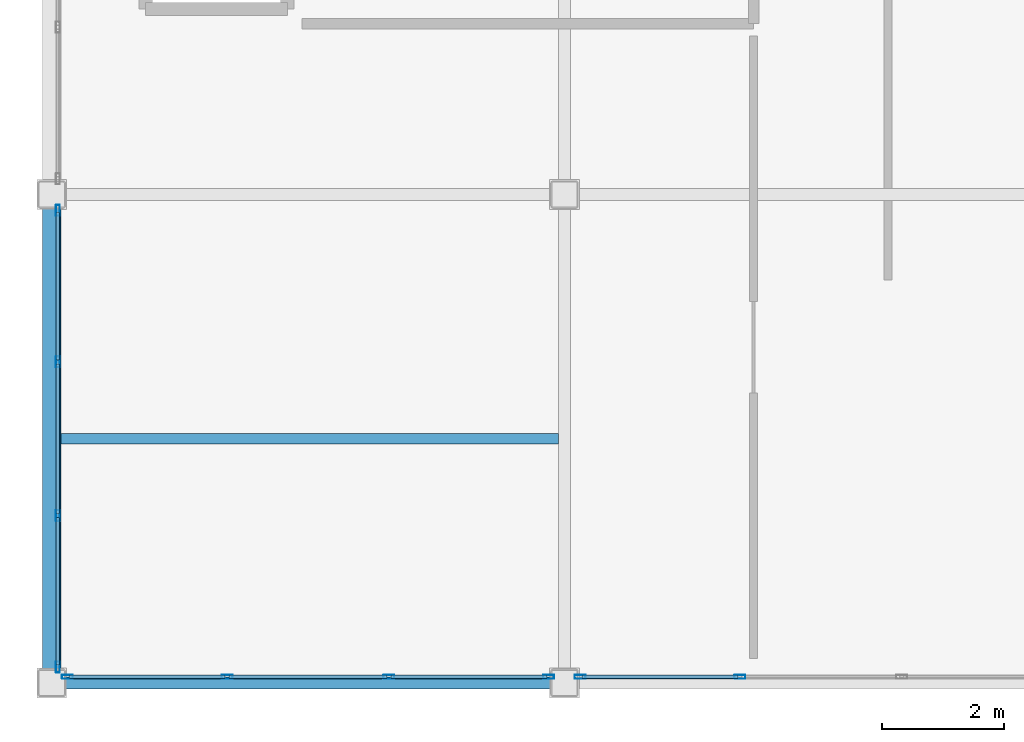
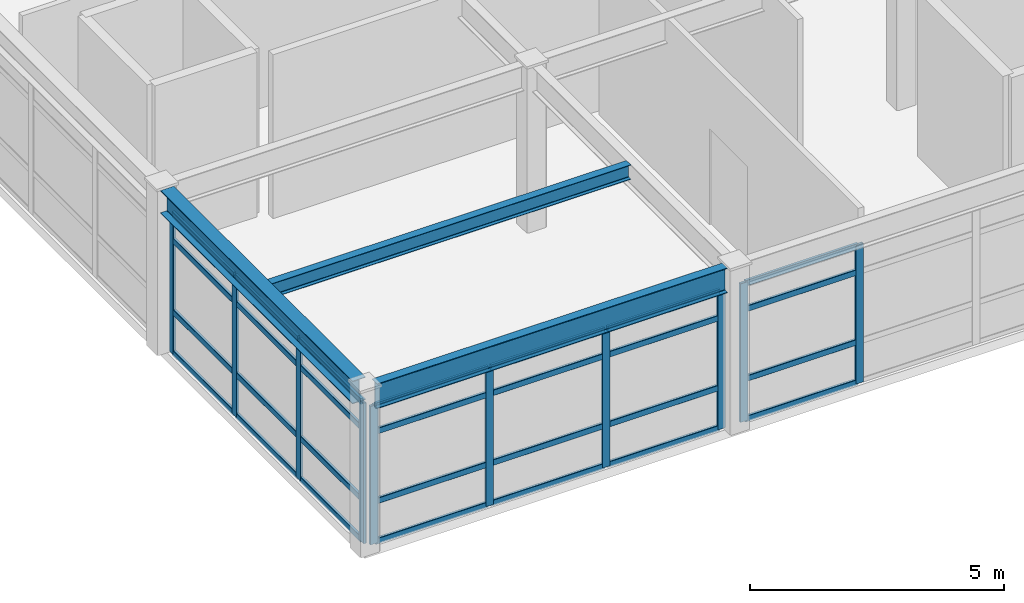
# One storey, part 3 of 34: 38 members, 3 beams, 3 elements without a shape of their own.
"""IFC4 building model written with IfcOpenShell, lengths in metres."""

from ifc_helpers import new_model, si_unit, direction, frame, origin, origin_2d, place, context, subcontext, project, spatial, hollow_rectangle, i_section, extrude, material, layer, layer_set, material_profile, profile_set, type_object, element, aggregate, save


model = new_model("IFC4")

# Units and contexts
model_context = context("Model", 3, precision=1e-05, world=origin(), true_north=direction((0.0, 1.0)))
body_context = subcontext(model_context, "Body", "Model", "MODEL_VIEW")
ifc_project = project(units=[si_unit("LENGTHUNIT", "METRE"), si_unit("AREAUNIT", "SQUARE_METRE"), si_unit("VOLUMEUNIT", "CUBIC_METRE"), si_unit("PLANEANGLEUNIT", "RADIAN"), si_unit("MASSUNIT", "GRAM", prefix="KILO")], contexts=[model_context])

# Site, building, storey
site_placement = place(None, origin())
site = spatial("IfcSite", under=ifc_project, at=site_placement, CompositionType="ELEMENT")
building_placement = place(site_placement, origin())
building = spatial("IfcBuilding", under=site, at=building_placement, Name="Kazehara Bluff Congress Hotel", CompositionType="ELEMENT")
storey_placement = place(building_placement, frame((0.0, 0.0, 46.199951171875)))
storey = spatial("IfcBuildingStorey", under=building, at=storey_placement, Name="L11", CompositionType="ELEMENT", Elevation=46.199951171875)

# Curtain wall, members
ifc_material_1 = material(Name="Anodised aluminium", Category="aluminium")
ifc_layer_1 = layer(ifc_material_1, 0.159912109375)
ifc_layer_set_1 = layer_set([ifc_layer_1], Name="Anodised aluminium")
curtain_wall_type_1 = type_object("IfcCurtainWallType", Name="TP-CW-206", PredefinedType="NOTDEFINED", material=ifc_layer_set_1)
curtain_wall_1_placement = place(storey_placement, origin())
curtain_wall_1 = element("IfcCurtainWall", 1, at=curtain_wall_1_placement, inside=storey, type_object=curtain_wall_type_1, Name="L11 curtain wall CW-206 CW-ENC-V5-L11-14790-1610", PredefinedType="NOTDEFINED")
ifc_material_2 = material(Name="Anodised aluminium", Category="aluminium")
ifc_material_profile_1 = material_profile(ifc_material_2, hollow_rectangle(XDim=0.06494140625, YDim=0.179931640625, WallThickness=0.00390625, InnerFilletRadius=0.00390625, OuterFilletRadius=0.008056640625, at=origin_2d()))
ifc_profile_set_1 = profile_set([ifc_material_profile_1], Name="Anodised aluminium")
member_type_1 = type_object("IfcMemberType", Name="TP-CWM-02", PredefinedType="MULLION", material=ifc_profile_set_1)
member_1_placement = place(storey_placement, frame((151.842529296875, 16.10009765625, 0.0), z_axis=(0.0, 0.0, 1.0), x_axis=(0.0, -1.0, 0.0)))
member_1 = element("IfcMember", 2, at=member_1_placement, type_object=member_type_1, Name="CW-206 mullion 1", PredefinedType="MULLION", context=body_context, shape_type="SweptSolid", body=[
    extrude(hollow_rectangle(XDim=0.06494140625, YDim=0.179931640625, WallThickness=0.00390625, InnerFilletRadius=0.00390625, OuterFilletRadius=0.008056640625, at=origin_2d()), origin(), (0.0, 0.0, 1.0), 3.324951171875),
])
member_2_placement = place(storey_placement, frame((149.22509765625, 16.10009765625, 0.0), z_axis=(0.0, 0.0, 1.0), x_axis=(0.0, -1.0, 0.0)))
member_2 = element("IfcMember", 3, at=member_2_placement, type_object=member_type_1, Name="CW-206 mullion 2", PredefinedType="MULLION", context=body_context, shape_type="SweptSolid", body=[
    extrude(hollow_rectangle(XDim=0.06494140625, YDim=0.179931640625, WallThickness=0.00390625, InnerFilletRadius=0.00390625, OuterFilletRadius=0.008056640625, at=origin_2d()), origin(), (0.0, 0.0, 1.0), 3.324951171875),
])
member_3_placement = place(storey_placement, frame((146.574951171875, 16.10009765625, 0.0), z_axis=(0.0, 0.0, 1.0), x_axis=(0.0, -1.0, 0.0)))
member_3 = element("IfcMember", 4, at=member_3_placement, type_object=member_type_1, Name="CW-206 mullion 3", PredefinedType="MULLION", context=body_context, shape_type="SweptSolid", body=[
    extrude(hollow_rectangle(XDim=0.06494140625, YDim=0.179931640625, WallThickness=0.00390625, InnerFilletRadius=0.00390625, OuterFilletRadius=0.008056640625, at=origin_2d()), origin(), (0.0, 0.0, 1.0), 3.324951171875),
])
member_4_placement = place(storey_placement, frame((143.95751953125, 16.10009765625, 0.0), z_axis=(0.0, 0.0, 1.0), x_axis=(0.0, -1.0, 0.0)))
member_4 = element("IfcMember", 5, at=member_4_placement, type_object=member_type_1, Name="CW-206 mullion 4", PredefinedType="MULLION", context=body_context, shape_type="SweptSolid", body=[
    extrude(hollow_rectangle(XDim=0.06494140625, YDim=0.179931640625, WallThickness=0.00390625, InnerFilletRadius=0.00390625, OuterFilletRadius=0.008056640625, at=origin_2d()), origin(), (0.0, 0.0, 1.0), 3.324951171875),
])

curtain_wall_2_placement = place(storey_placement, origin())
curtain_wall_2 = element("IfcCurtainWall", 6, at=curtain_wall_2_placement, inside=storey, type_object=curtain_wall_type_1, Name="L11 curtain wall CW-206 CW-ENC-V5-L11-15630-1610", PredefinedType="NOTDEFINED")
member_5_placement = place(storey_placement, frame((154.97509765625, 16.10009765625, 0.0), z_axis=(0.0, 0.0, 1.0), x_axis=(0.0, -1.0, 0.0)))
member_5 = element("IfcMember", 7, at=member_5_placement, type_object=member_type_1, Name="CW-206 mullion 3", PredefinedType="MULLION", context=body_context, shape_type="SweptSolid", body=[
    extrude(hollow_rectangle(XDim=0.06494140625, YDim=0.179931640625, WallThickness=0.00390625, InnerFilletRadius=0.00390625, OuterFilletRadius=0.008056640625, at=origin_2d()), origin(), (0.0, 0.0, 1.0), 3.324951171875),
])
member_6_placement = place(storey_placement, frame((152.357421875, 16.10009765625, 0.0), z_axis=(0.0, 0.0, 1.0), x_axis=(0.0, -1.0, 0.0)))
member_6 = element("IfcMember", 8, at=member_6_placement, type_object=member_type_1, Name="CW-206 mullion 4", PredefinedType="MULLION", context=body_context, shape_type="SweptSolid", body=[
    extrude(hollow_rectangle(XDim=0.06494140625, YDim=0.179931640625, WallThickness=0.00390625, InnerFilletRadius=0.00390625, OuterFilletRadius=0.008056640625, at=origin_2d()), origin(), (0.0, 0.0, 1.0), 3.324951171875),
])

ifc_material_3 = material(Name="Anodised aluminium", Category="aluminium")
ifc_layer_2 = layer(ifc_material_3, 0.159912109375)
ifc_layer_set_2 = layer_set([ifc_layer_2], Name="Anodised aluminium")
curtain_wall_type_2 = type_object("IfcCurtainWallType", Name="TP-CW-212", PredefinedType="NOTDEFINED", material=ifc_layer_set_2)
curtain_wall_3_placement = place(storey_placement, origin())
curtain_wall_3 = element("IfcCurtainWall", 9, at=curtain_wall_3_placement, inside=storey, type_object=curtain_wall_type_2, Name="L11 curtain wall CW-212 CW-ENC-V5-L11-14380-2000", PredefinedType="NOTDEFINED")
member_7_placement = place(storey_placement, frame((143.800048828125, 16.257568359375, 0.0), z_axis=(0.0, 0.0, 1.0), x_axis=(-1.0, 0.0, 0.0)))
member_7 = element("IfcMember", 10, at=member_7_placement, type_object=member_type_1, Name="CW-212 mullion 1", PredefinedType="MULLION", context=body_context, shape_type="SweptSolid", body=[
    extrude(hollow_rectangle(XDim=0.06494140625, YDim=0.179931640625, WallThickness=0.00390625, InnerFilletRadius=0.00390625, OuterFilletRadius=0.008056640625, at=origin_2d()), origin(), (0.0, 0.0, 1.0), 3.375),
])
member_8_placement = place(storey_placement, frame((143.800048828125, 18.74169921875, 0.0), z_axis=(0.0, 0.0, 1.0), x_axis=(-1.0, 0.0, 0.0)))
member_8 = element("IfcMember", 11, at=member_8_placement, type_object=member_type_1, Name="CW-212 mullion 2", PredefinedType="MULLION", context=body_context, shape_type="SweptSolid", body=[
    extrude(hollow_rectangle(XDim=0.06494140625, YDim=0.179931640625, WallThickness=0.00390625, InnerFilletRadius=0.00390625, OuterFilletRadius=0.008056640625, at=origin_2d()), origin(), (0.0, 0.0, 1.0), 3.375),
])
member_9_placement = place(storey_placement, frame((143.800048828125, 21.25830078125, 0.0), z_axis=(0.0, 0.0, 1.0), x_axis=(-1.0, 0.0, 0.0)))
member_9 = element("IfcMember", 12, at=member_9_placement, type_object=member_type_1, Name="CW-212 mullion 3", PredefinedType="MULLION", context=body_context, shape_type="SweptSolid", body=[
    extrude(hollow_rectangle(XDim=0.06494140625, YDim=0.179931640625, WallThickness=0.00390625, InnerFilletRadius=0.00390625, OuterFilletRadius=0.008056640625, at=origin_2d()), origin(), (0.0, 0.0, 1.0), 3.375),
])
member_10_placement = place(storey_placement, frame((143.800048828125, 23.742431640625, 0.0), z_axis=(0.0, 0.0, 1.0), x_axis=(-1.0, 0.0, 0.0)))
member_10 = element("IfcMember", 13, at=member_10_placement, type_object=member_type_1, Name="CW-212 mullion 4", PredefinedType="MULLION", context=body_context, shape_type="SweptSolid", body=[
    extrude(hollow_rectangle(XDim=0.06494140625, YDim=0.179931640625, WallThickness=0.00390625, InnerFilletRadius=0.00390625, OuterFilletRadius=0.008056640625, at=origin_2d()), origin(), (0.0, 0.0, 1.0), 3.375),
])

# Member
ifc_material_4 = material(Name="Anodised aluminium", Category="aluminium")
ifc_material_profile_2 = material_profile(ifc_material_4, hollow_rectangle(XDim=0.06494140625, YDim=0.139892578125, WallThickness=0.00390625, InnerFilletRadius=0.00390625, OuterFilletRadius=0.008056640625, at=origin_2d()))
ifc_profile_set_2 = profile_set([ifc_material_profile_2], Name="Anodised aluminium")
member_type_2 = type_object("IfcMemberType", Name="TP-CWT-02", PredefinedType="USERDEFINED", material=ifc_profile_set_2)
member_11_placement = place(storey_placement, frame((151.81005859375, 16.10009765625, 0.032470703125), z_axis=(-1.0, 0.0, 0.0), x_axis=(0.0, -1.0, 0.0)))
member_11 = element("IfcMember", 14, at=member_11_placement, type_object=member_type_2, Name="CW-206 transom 1.1", ObjectType="TRANSOM", PredefinedType="USERDEFINED", context=body_context, shape_type="SweptSolid", body=[
    extrude(hollow_rectangle(XDim=0.06494140625, YDim=0.139892578125, WallThickness=0.00390625, InnerFilletRadius=0.00390625, OuterFilletRadius=0.008056640625, at=origin_2d()), origin(), (0.0, 0.0, 1.0), 2.552490234375),
])

member_12_placement = place(storey_placement, frame((151.81005859375, 16.10009765625, 1.0), z_axis=(-1.0, 0.0, 0.0), x_axis=(0.0, -1.0, 0.0)))
member_12 = element("IfcMember", 15, at=member_12_placement, type_object=member_type_2, Name="CW-206 transom 1.2", ObjectType="TRANSOM", PredefinedType="USERDEFINED", context=body_context, shape_type="SweptSolid", body=[
    extrude(hollow_rectangle(XDim=0.06494140625, YDim=0.139892578125, WallThickness=0.00390625, InnerFilletRadius=0.00390625, OuterFilletRadius=0.008056640625, at=origin_2d()), origin(), (0.0, 0.0, 1.0), 2.552490234375),
])

member_13_placement = place(storey_placement, frame((151.81005859375, 16.10009765625, 2.675048828125), z_axis=(-1.0, 0.0, 0.0), x_axis=(0.0, -1.0, 0.0)))
member_13 = element("IfcMember", 16, at=member_13_placement, type_object=member_type_2, Name="CW-206 transom 1.3", ObjectType="TRANSOM", PredefinedType="USERDEFINED", context=body_context, shape_type="SweptSolid", body=[
    extrude(hollow_rectangle(XDim=0.06494140625, YDim=0.139892578125, WallThickness=0.00390625, InnerFilletRadius=0.00390625, OuterFilletRadius=0.008056640625, at=origin_2d()), origin(), (0.0, 0.0, 1.0), 2.552490234375),
])

member_14_placement = place(storey_placement, frame((151.81005859375, 16.10009765625, 3.29248046875), z_axis=(-1.0, 0.0, 0.0), x_axis=(0.0, -1.0, 0.0)))
member_14 = element("IfcMember", 17, at=member_14_placement, type_object=member_type_2, Name="CW-206 transom 1.4", ObjectType="TRANSOM", PredefinedType="USERDEFINED", context=body_context, shape_type="SweptSolid", body=[
    extrude(hollow_rectangle(XDim=0.06494140625, YDim=0.139892578125, WallThickness=0.00390625, InnerFilletRadius=0.00390625, OuterFilletRadius=0.008056640625, at=origin_2d()), origin(), (0.0, 0.0, 1.0), 2.552490234375),
])

member_15_placement = place(storey_placement, frame((149.1923828125, 16.10009765625, 0.032470703125), z_axis=(-1.0, 0.0, 0.0), x_axis=(0.0, -1.0, 0.0)))
member_15 = element("IfcMember", 18, at=member_15_placement, type_object=member_type_2, Name="CW-206 transom 2.1", ObjectType="TRANSOM", PredefinedType="USERDEFINED", context=body_context, shape_type="SweptSolid", body=[
    extrude(hollow_rectangle(XDim=0.06494140625, YDim=0.139892578125, WallThickness=0.00390625, InnerFilletRadius=0.00390625, OuterFilletRadius=0.008056640625, at=origin_2d()), origin(), (0.0, 0.0, 1.0), 2.5849609375),
])

member_16_placement = place(storey_placement, frame((149.1923828125, 16.10009765625, 1.0), z_axis=(-1.0, 0.0, 0.0), x_axis=(0.0, -1.0, 0.0)))
member_16 = element("IfcMember", 19, at=member_16_placement, type_object=member_type_2, Name="CW-206 transom 2.2", ObjectType="TRANSOM", PredefinedType="USERDEFINED", context=body_context, shape_type="SweptSolid", body=[
    extrude(hollow_rectangle(XDim=0.06494140625, YDim=0.139892578125, WallThickness=0.00390625, InnerFilletRadius=0.00390625, OuterFilletRadius=0.008056640625, at=origin_2d()), origin(), (0.0, 0.0, 1.0), 2.5849609375),
])

member_17_placement = place(storey_placement, frame((149.1923828125, 16.10009765625, 2.675048828125), z_axis=(-1.0, 0.0, 0.0), x_axis=(0.0, -1.0, 0.0)))
member_17 = element("IfcMember", 20, at=member_17_placement, type_object=member_type_2, Name="CW-206 transom 2.3", ObjectType="TRANSOM", PredefinedType="USERDEFINED", context=body_context, shape_type="SweptSolid", body=[
    extrude(hollow_rectangle(XDim=0.06494140625, YDim=0.139892578125, WallThickness=0.00390625, InnerFilletRadius=0.00390625, OuterFilletRadius=0.008056640625, at=origin_2d()), origin(), (0.0, 0.0, 1.0), 2.5849609375),
])

member_18_placement = place(storey_placement, frame((149.1923828125, 16.10009765625, 3.29248046875), z_axis=(-1.0, 0.0, 0.0), x_axis=(0.0, -1.0, 0.0)))
member_18 = element("IfcMember", 21, at=member_18_placement, type_object=member_type_2, Name="CW-206 transom 2.4", ObjectType="TRANSOM", PredefinedType="USERDEFINED", context=body_context, shape_type="SweptSolid", body=[
    extrude(hollow_rectangle(XDim=0.06494140625, YDim=0.139892578125, WallThickness=0.00390625, InnerFilletRadius=0.00390625, OuterFilletRadius=0.008056640625, at=origin_2d()), origin(), (0.0, 0.0, 1.0), 2.5849609375),
])

member_19_placement = place(storey_placement, frame((146.54248046875, 16.10009765625, 0.032470703125), z_axis=(-1.0, 0.0, 0.0), x_axis=(0.0, -1.0, 0.0)))
member_19 = element("IfcMember", 22, at=member_19_placement, type_object=member_type_2, Name="CW-206 transom 3.1", ObjectType="TRANSOM", PredefinedType="USERDEFINED", context=body_context, shape_type="SweptSolid", body=[
    extrude(hollow_rectangle(XDim=0.06494140625, YDim=0.139892578125, WallThickness=0.00390625, InnerFilletRadius=0.00390625, OuterFilletRadius=0.008056640625, at=origin_2d()), origin(), (0.0, 0.0, 1.0), 2.552490234375),
])

member_20_placement = place(storey_placement, frame((146.54248046875, 16.10009765625, 1.0), z_axis=(-1.0, 0.0, 0.0), x_axis=(0.0, -1.0, 0.0)))
member_20 = element("IfcMember", 23, at=member_20_placement, type_object=member_type_2, Name="CW-206 transom 3.2", ObjectType="TRANSOM", PredefinedType="USERDEFINED", context=body_context, shape_type="SweptSolid", body=[
    extrude(hollow_rectangle(XDim=0.06494140625, YDim=0.139892578125, WallThickness=0.00390625, InnerFilletRadius=0.00390625, OuterFilletRadius=0.008056640625, at=origin_2d()), origin(), (0.0, 0.0, 1.0), 2.552490234375),
])

member_21_placement = place(storey_placement, frame((146.54248046875, 16.10009765625, 2.675048828125), z_axis=(-1.0, 0.0, 0.0), x_axis=(0.0, -1.0, 0.0)))
member_21 = element("IfcMember", 24, at=member_21_placement, type_object=member_type_2, Name="CW-206 transom 3.3", ObjectType="TRANSOM", PredefinedType="USERDEFINED", context=body_context, shape_type="SweptSolid", body=[
    extrude(hollow_rectangle(XDim=0.06494140625, YDim=0.139892578125, WallThickness=0.00390625, InnerFilletRadius=0.00390625, OuterFilletRadius=0.008056640625, at=origin_2d()), origin(), (0.0, 0.0, 1.0), 2.552490234375),
])

member_22_placement = place(storey_placement, frame((146.54248046875, 16.10009765625, 3.29248046875), z_axis=(-1.0, 0.0, 0.0), x_axis=(0.0, -1.0, 0.0)))
member_22 = element("IfcMember", 25, at=member_22_placement, type_object=member_type_2, Name="CW-206 transom 3.4", ObjectType="TRANSOM", PredefinedType="USERDEFINED", context=body_context, shape_type="SweptSolid", body=[
    extrude(hollow_rectangle(XDim=0.06494140625, YDim=0.139892578125, WallThickness=0.00390625, InnerFilletRadius=0.00390625, OuterFilletRadius=0.008056640625, at=origin_2d()), origin(), (0.0, 0.0, 1.0), 2.552490234375),
])

aggregate(curtain_wall_1, [member_1, member_2, member_3, member_4, member_11, member_12, member_13, member_14, member_15, member_16, member_17, member_18, member_19, member_20, member_21, member_22])

member_23_placement = place(storey_placement, frame((154.9423828125, 16.10009765625, 0.032470703125), z_axis=(-1.0, 0.0, 0.0), x_axis=(0.0, -1.0, 0.0)))
member_23 = element("IfcMember", 26, at=member_23_placement, type_object=member_type_2, Name="CW-206 transom 3.1", ObjectType="TRANSOM", PredefinedType="USERDEFINED", context=body_context, shape_type="SweptSolid", body=[
    extrude(hollow_rectangle(XDim=0.06494140625, YDim=0.139892578125, WallThickness=0.00390625, InnerFilletRadius=0.00390625, OuterFilletRadius=0.008056640625, at=origin_2d()), origin(), (0.0, 0.0, 1.0), 2.552490234375),
])

member_24_placement = place(storey_placement, frame((154.9423828125, 16.10009765625, 1.0), z_axis=(-1.0, 0.0, 0.0), x_axis=(0.0, -1.0, 0.0)))
member_24 = element("IfcMember", 27, at=member_24_placement, type_object=member_type_2, Name="CW-206 transom 3.2", ObjectType="TRANSOM", PredefinedType="USERDEFINED", context=body_context, shape_type="SweptSolid", body=[
    extrude(hollow_rectangle(XDim=0.06494140625, YDim=0.139892578125, WallThickness=0.00390625, InnerFilletRadius=0.00390625, OuterFilletRadius=0.008056640625, at=origin_2d()), origin(), (0.0, 0.0, 1.0), 2.552490234375),
])

member_25_placement = place(storey_placement, frame((154.9423828125, 16.10009765625, 2.675048828125), z_axis=(-1.0, 0.0, 0.0), x_axis=(0.0, -1.0, 0.0)))
member_25 = element("IfcMember", 28, at=member_25_placement, type_object=member_type_2, Name="CW-206 transom 3.3", ObjectType="TRANSOM", PredefinedType="USERDEFINED", context=body_context, shape_type="SweptSolid", body=[
    extrude(hollow_rectangle(XDim=0.06494140625, YDim=0.139892578125, WallThickness=0.00390625, InnerFilletRadius=0.00390625, OuterFilletRadius=0.008056640625, at=origin_2d()), origin(), (0.0, 0.0, 1.0), 2.552490234375),
])

member_26_placement = place(storey_placement, frame((154.9423828125, 16.10009765625, 3.29248046875), z_axis=(-1.0, 0.0, 0.0), x_axis=(0.0, -1.0, 0.0)))
member_26 = element("IfcMember", 29, at=member_26_placement, type_object=member_type_2, Name="CW-206 transom 3.4", ObjectType="TRANSOM", PredefinedType="USERDEFINED", context=body_context, shape_type="SweptSolid", body=[
    extrude(hollow_rectangle(XDim=0.06494140625, YDim=0.139892578125, WallThickness=0.00390625, InnerFilletRadius=0.00390625, OuterFilletRadius=0.008056640625, at=origin_2d()), origin(), (0.0, 0.0, 1.0), 2.552490234375),
])

aggregate(curtain_wall_2, [member_5, member_6, member_23, member_24, member_25, member_26])

member_27_placement = place(storey_placement, frame((143.800048828125, 16.2900390625, 0.032470703125), z_axis=(0.0, 1.0, 0.0), x_axis=(-1.0, 0.0, 0.0)))
member_27 = element("IfcMember", 30, at=member_27_placement, type_object=member_type_2, Name="CW-212 transom 1.1", ObjectType="TRANSOM", PredefinedType="USERDEFINED", context=body_context, shape_type="SweptSolid", body=[
    extrude(hollow_rectangle(XDim=0.06494140625, YDim=0.139892578125, WallThickness=0.00390625, InnerFilletRadius=0.00390625, OuterFilletRadius=0.008056640625, at=origin_2d()), origin(), (0.0, 0.0, 1.0), 2.419189453125),
])

member_28_placement = place(storey_placement, frame((143.800048828125, 16.2900390625, 1.01513671875), z_axis=(0.0, 1.0, 0.0), x_axis=(-1.0, 0.0, 0.0)))
member_28 = element("IfcMember", 31, at=member_28_placement, type_object=member_type_2, Name="CW-212 transom 1.2", ObjectType="TRANSOM", PredefinedType="USERDEFINED", context=body_context, shape_type="SweptSolid", body=[
    extrude(hollow_rectangle(XDim=0.06494140625, YDim=0.139892578125, WallThickness=0.00390625, InnerFilletRadius=0.00390625, OuterFilletRadius=0.008056640625, at=origin_2d()), origin(), (0.0, 0.0, 1.0), 2.419189453125),
])

member_29_placement = place(storey_placement, frame((143.800048828125, 16.2900390625, 2.72509765625), z_axis=(0.0, 1.0, 0.0), x_axis=(-1.0, 0.0, 0.0)))
member_29 = element("IfcMember", 32, at=member_29_placement, type_object=member_type_2, Name="CW-212 transom 1.3", ObjectType="TRANSOM", PredefinedType="USERDEFINED", context=body_context, shape_type="SweptSolid", body=[
    extrude(hollow_rectangle(XDim=0.06494140625, YDim=0.139892578125, WallThickness=0.00390625, InnerFilletRadius=0.00390625, OuterFilletRadius=0.008056640625, at=origin_2d()), origin(), (0.0, 0.0, 1.0), 2.419189453125),
])

member_30_placement = place(storey_placement, frame((143.800048828125, 16.2900390625, 3.342529296875), z_axis=(0.0, 1.0, 0.0), x_axis=(-1.0, 0.0, 0.0)))
member_30 = element("IfcMember", 33, at=member_30_placement, type_object=member_type_2, Name="CW-212 transom 1.4", ObjectType="TRANSOM", PredefinedType="USERDEFINED", context=body_context, shape_type="SweptSolid", body=[
    extrude(hollow_rectangle(XDim=0.06494140625, YDim=0.139892578125, WallThickness=0.00390625, InnerFilletRadius=0.00390625, OuterFilletRadius=0.008056640625, at=origin_2d()), origin(), (0.0, 0.0, 1.0), 2.419189453125),
])

member_31_placement = place(storey_placement, frame((143.800048828125, 18.774169921875, 0.032470703125), z_axis=(0.0, 1.0, 0.0), x_axis=(-1.0, 0.0, 0.0)))
member_31 = element("IfcMember", 34, at=member_31_placement, type_object=member_type_2, Name="CW-212 transom 2.1", ObjectType="TRANSOM", PredefinedType="USERDEFINED", context=body_context, shape_type="SweptSolid", body=[
    extrude(hollow_rectangle(XDim=0.06494140625, YDim=0.139892578125, WallThickness=0.00390625, InnerFilletRadius=0.00390625, OuterFilletRadius=0.008056640625, at=origin_2d()), origin(), (0.0, 0.0, 1.0), 2.45166015625),
])

member_32_placement = place(storey_placement, frame((143.800048828125, 18.774169921875, 1.01513671875), z_axis=(0.0, 1.0, 0.0), x_axis=(-1.0, 0.0, 0.0)))
member_32 = element("IfcMember", 35, at=member_32_placement, type_object=member_type_2, Name="CW-212 transom 2.2", ObjectType="TRANSOM", PredefinedType="USERDEFINED", context=body_context, shape_type="SweptSolid", body=[
    extrude(hollow_rectangle(XDim=0.06494140625, YDim=0.139892578125, WallThickness=0.00390625, InnerFilletRadius=0.00390625, OuterFilletRadius=0.008056640625, at=origin_2d()), origin(), (0.0, 0.0, 1.0), 2.45166015625),
])

member_33_placement = place(storey_placement, frame((143.800048828125, 18.774169921875, 2.72509765625), z_axis=(0.0, 1.0, 0.0), x_axis=(-1.0, 0.0, 0.0)))
member_33 = element("IfcMember", 36, at=member_33_placement, type_object=member_type_2, Name="CW-212 transom 2.3", ObjectType="TRANSOM", PredefinedType="USERDEFINED", context=body_context, shape_type="SweptSolid", body=[
    extrude(hollow_rectangle(XDim=0.06494140625, YDim=0.139892578125, WallThickness=0.00390625, InnerFilletRadius=0.00390625, OuterFilletRadius=0.008056640625, at=origin_2d()), origin(), (0.0, 0.0, 1.0), 2.45166015625),
])

member_34_placement = place(storey_placement, frame((143.800048828125, 18.774169921875, 3.342529296875), z_axis=(0.0, 1.0, 0.0), x_axis=(-1.0, 0.0, 0.0)))
member_34 = element("IfcMember", 37, at=member_34_placement, type_object=member_type_2, Name="CW-212 transom 2.4", ObjectType="TRANSOM", PredefinedType="USERDEFINED", context=body_context, shape_type="SweptSolid", body=[
    extrude(hollow_rectangle(XDim=0.06494140625, YDim=0.139892578125, WallThickness=0.00390625, InnerFilletRadius=0.00390625, OuterFilletRadius=0.008056640625, at=origin_2d()), origin(), (0.0, 0.0, 1.0), 2.45166015625),
])

member_35_placement = place(storey_placement, frame((143.800048828125, 21.290771484375, 0.032470703125), z_axis=(0.0, 1.0, 0.0), x_axis=(-1.0, 0.0, 0.0)))
member_35 = element("IfcMember", 38, at=member_35_placement, type_object=member_type_2, Name="CW-212 transom 3.1", ObjectType="TRANSOM", PredefinedType="USERDEFINED", context=body_context, shape_type="SweptSolid", body=[
    extrude(hollow_rectangle(XDim=0.06494140625, YDim=0.139892578125, WallThickness=0.00390625, InnerFilletRadius=0.00390625, OuterFilletRadius=0.008056640625, at=origin_2d()), origin(), (0.0, 0.0, 1.0), 2.419189453125),
])

member_36_placement = place(storey_placement, frame((143.800048828125, 21.290771484375, 1.01513671875), z_axis=(0.0, 1.0, 0.0), x_axis=(-1.0, 0.0, 0.0)))
member_36 = element("IfcMember", 39, at=member_36_placement, type_object=member_type_2, Name="CW-212 transom 3.2", ObjectType="TRANSOM", PredefinedType="USERDEFINED", context=body_context, shape_type="SweptSolid", body=[
    extrude(hollow_rectangle(XDim=0.06494140625, YDim=0.139892578125, WallThickness=0.00390625, InnerFilletRadius=0.00390625, OuterFilletRadius=0.008056640625, at=origin_2d()), origin(), (0.0, 0.0, 1.0), 2.419189453125),
])

member_37_placement = place(storey_placement, frame((143.800048828125, 21.290771484375, 2.72509765625), z_axis=(0.0, 1.0, 0.0), x_axis=(-1.0, 0.0, 0.0)))
member_37 = element("IfcMember", 40, at=member_37_placement, type_object=member_type_2, Name="CW-212 transom 3.3", ObjectType="TRANSOM", PredefinedType="USERDEFINED", context=body_context, shape_type="SweptSolid", body=[
    extrude(hollow_rectangle(XDim=0.06494140625, YDim=0.139892578125, WallThickness=0.00390625, InnerFilletRadius=0.00390625, OuterFilletRadius=0.008056640625, at=origin_2d()), origin(), (0.0, 0.0, 1.0), 2.419189453125),
])

member_38_placement = place(storey_placement, frame((143.800048828125, 21.290771484375, 3.342529296875), z_axis=(0.0, 1.0, 0.0), x_axis=(-1.0, 0.0, 0.0)))
member_38 = element("IfcMember", 41, at=member_38_placement, type_object=member_type_2, Name="CW-212 transom 3.4", ObjectType="TRANSOM", PredefinedType="USERDEFINED", context=body_context, shape_type="SweptSolid", body=[
    extrude(hollow_rectangle(XDim=0.06494140625, YDim=0.139892578125, WallThickness=0.00390625, InnerFilletRadius=0.00390625, OuterFilletRadius=0.008056640625, at=origin_2d()), origin(), (0.0, 0.0, 1.0), 2.419189453125),
])

aggregate(curtain_wall_3, [member_7, member_8, member_9, member_10, member_27, member_28, member_29, member_30, member_31, member_32, member_33, member_34, member_35, member_36, member_37, member_38])

# Beams
ifc_material_5 = material(Name="Steel SN490B", Category="steel")
ifc_material_profile_3 = material_profile(ifc_material_5, i_section(OverallWidth=0.199951171875, OverallDepth=0.60009765625, WebThickness=0.010986328125, FlangeThickness=0.01708984375, FilletRadius=0.012939453125, at=origin_2d()))
ifc_profile_set_3 = profile_set([ifc_material_profile_3], Name="Steel SN490B")
beam_type_1 = type_object("IfcBeamType", Name="TP-G-02", PredefinedType="BEAM", material=ifc_profile_set_3)
beam_1_placement = place(storey_placement, frame((143.925048828125, 16.0, 3.650146484375), z_axis=(1.0, 0.0, 0.0), x_axis=(0.0, 1.0, 0.0)))
element("IfcBeam", 42, at=beam_1_placement, inside=storey, type_object=beam_type_1, Name="L11 girder G-02 25", PredefinedType="BEAM", context=body_context, shape_type="SweptSolid", body=[
    extrude(i_section(OverallWidth=0.199951171875, OverallDepth=0.60009765625, WebThickness=0.010986328125, FlangeThickness=0.01708984375, FilletRadius=0.012939453125, at=origin_2d()), origin(), (0.0, 0.0, 1.0), 7.949951171875),
])
ifc_material_6 = material(Name="Steel SN400B", Category="steel")
ifc_material_profile_4 = material_profile(ifc_material_6, i_section(OverallWidth=0.175048828125, OverallDepth=0.35009765625, WebThickness=0.007080078125, FlangeThickness=0.010986328125, FilletRadius=0.012939453125, at=origin_2d()))
ifc_profile_set_4 = profile_set([ifc_material_profile_4], Name="Steel SN400B")
beam_type_2 = type_object("IfcBeamType", Name="TP-J-02", PredefinedType="JOIST", material=ifc_profile_set_4)
beam_2_placement = place(storey_placement, frame((143.85009765625, 20.0, 3.775146484375), z_axis=(1.0, 0.0, 0.0), x_axis=(0.0, 1.0, 0.0)))
element("IfcBeam", 43, at=beam_2_placement, inside=storey, type_object=beam_type_2, Name="L11 secondary joist J-02 1", PredefinedType="JOIST", context=body_context, shape_type="SweptSolid", body=[
    extrude(i_section(OverallWidth=0.175048828125, OverallDepth=0.35009765625, WebThickness=0.007080078125, FlangeThickness=0.010986328125, FilletRadius=0.012939453125, at=origin_2d()), origin(), (0.0, 0.0, 1.0), 8.14990234375),
])
ifc_material_7 = material(Name="Steel SN490B", Category="steel")
ifc_material_profile_5 = material_profile(ifc_material_7, i_section(OverallWidth=0.300048828125, OverallDepth=0.550048828125, WebThickness=0.010986328125, FlangeThickness=0.01806640625, FilletRadius=0.012939453125, at=origin_2d()))
ifc_profile_set_5 = profile_set([ifc_material_profile_5], Name="Steel SN490B")
beam_type_3 = type_object("IfcBeamType", Name="TP-SP-01", PredefinedType="SPANDREL", material=ifc_profile_set_5)
beam_3_placement = place(storey_placement, frame((143.699951171875, 16.22509765625, 3.675048828125), z_axis=(0.0, 1.0, 0.0), x_axis=(-1.0, 0.0, 0.0)))
element("IfcBeam", 44, at=beam_3_placement, inside=storey, type_object=beam_type_3, Name="L11 girder SP-01 1", PredefinedType="SPANDREL", context=body_context, shape_type="SweptSolid", body=[
    extrude(i_section(OverallWidth=0.300048828125, OverallDepth=0.550048828125, WebThickness=0.010986328125, FlangeThickness=0.01806640625, FilletRadius=0.012939453125, at=origin_2d()), origin(), (0.0, 0.0, 1.0), 7.5498046875),
])

save(model, "model.ifc")
